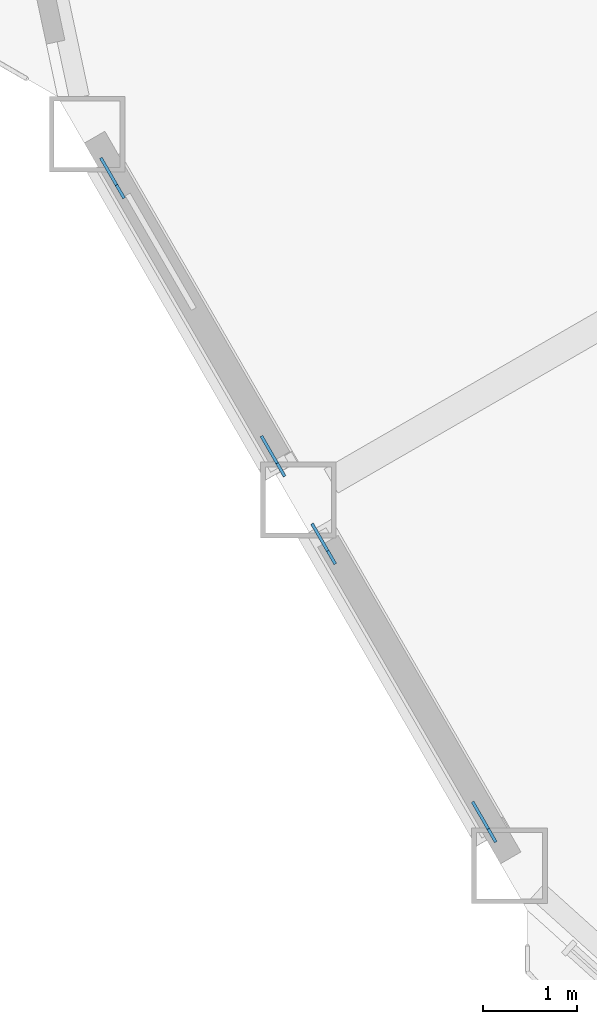
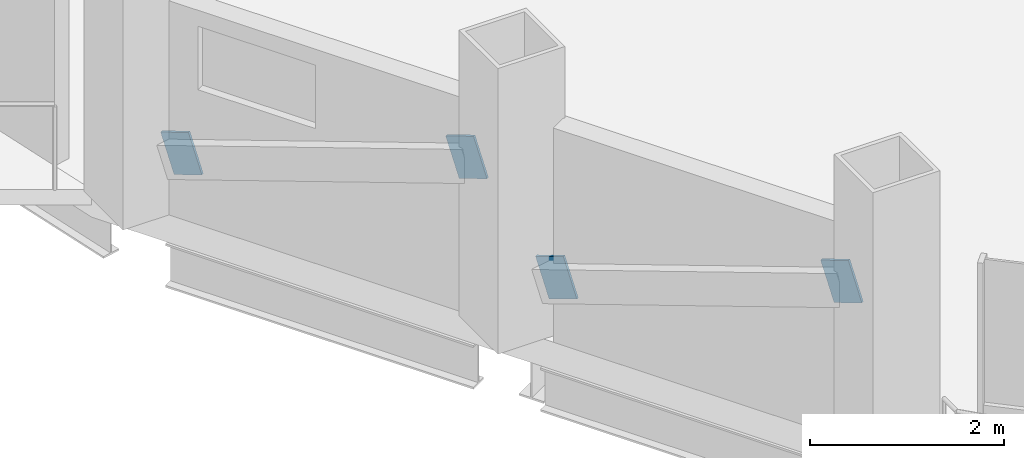
# One storey, part 16 of 23: 4 discrete accessories.
"""IFC4 building model written with IfcOpenShell, lengths in metres."""

from ifc_helpers import new_model, si_unit, direction, frame, origin, origin_2d, place, context, subcontext, project, spatial, rectangle, extrude, material, material_profile, profile_set, type_object, element, save


model = new_model("IFC4")

# Units and contexts
model_context = context("Model", 3, precision=1e-05, world=origin(), true_north=direction((0.0, 1.0)))
body_context = subcontext(model_context, "Body", "Model", "MODEL_VIEW")
ifc_project = project(units=[si_unit("LENGTHUNIT", "METRE"), si_unit("AREAUNIT", "SQUARE_METRE"), si_unit("VOLUMEUNIT", "CUBIC_METRE"), si_unit("PLANEANGLEUNIT", "RADIAN"), si_unit("MASSUNIT", "GRAM", prefix="KILO")], contexts=[model_context])

# Site, building, storey
site_placement = place(None, origin())
site = spatial("IfcSite", under=ifc_project, at=site_placement, CompositionType="ELEMENT")
building_placement = place(site_placement, origin())
building = spatial("IfcBuilding", under=site, at=building_placement, Name="Cormorant Prow Tower", CompositionType="ELEMENT")
storey_placement = place(building_placement, frame((0.0, 0.0, 180.0)))
storey = spatial("IfcBuildingStorey", under=building, at=storey_placement, Name="L38", CompositionType="ELEMENT", Elevation=180.0)

# Discrete accessories
ifc_material = material(Name="Structural steel ASTM A500 Gr C", Category="steel")
ifc_material_profile = material_profile(ifc_material, rectangle(XDim=0.031982421875, YDim=0.506103515625, at=origin_2d()), Name="Gusset plate 32x506")
ifc_profile_set = profile_set([ifc_material_profile], Name="Structural steel ASTM A500 Gr C")
discrete_accessory_type = type_object("IfcDiscreteAccessoryType", Name="Gusset plate 32x506", PredefinedType="BRACKET", material=ifc_profile_set)
discrete_accessory_1_placement = place(storey_placement, frame((-29.943359375, -12.935791015625, 0.83544921875), z_axis=(-0.47373689254, 0.821190460264, -0.318150254784), x_axis=(-0.866197837791, -0.499701216534, 0.0)))
element("IfcDiscreteAccessory", 1, at=discrete_accessory_1_placement, inside=storey, type_object=discrete_accessory_type, Name="Gusset plate GP2 L38.WSW00.g0", PredefinedType="BRACKET", context=body_context, shape_type="SweptSolid", body=[
    extrude(rectangle(XDim=0.031982421875, YDim=0.506103515625, at=origin_2d()), origin(), (0.0, 0.0, 1.0), 0.349853515625),
])
for number, where, z_axis, x_axis, name in (
    (2, (-28.40966796875, -15.59228515625, 1.865478515625), (0.4742777402, -0.820918970906, 0.31804507284), (0.86587923604, 0.500253084543, 0.0), "Gusset plate GP2 L38.WSW00.g1"),
    (3, (-27.7080078125, -16.807373046875, 0.83544921875), (-0.4742777402, 0.820918970906, -0.31804507284), (-0.86587923604, -0.500253084543, 0.0), "Gusset plate GP2 L38.WSW01.g0"),
):
    element("IfcDiscreteAccessory", number, at=place(storey_placement, frame(where, z_axis=z_axis, x_axis=x_axis)), inside=storey, type_object=discrete_accessory_type, Name=name, PredefinedType="BRACKET", context=body_context, shape_type="SweptSolid", body=[
        extrude(rectangle(XDim=0.031982421875, YDim=0.506103515625, at=origin_2d()), origin(), (0.0, 0.0, 1.0), 0.35009765625),
    ])
discrete_accessory_2_placement = place(storey_placement, frame((-26.17431640625, -19.463623046875, 1.865478515625), z_axis=(0.47373689254, -0.821190460264, 0.318150254784), x_axis=(0.866197837791, 0.499701216534, 0.0)))
element("IfcDiscreteAccessory", 4, at=discrete_accessory_2_placement, inside=storey, type_object=discrete_accessory_type, Name="Gusset plate GP2 L38.WSW01.g1", PredefinedType="BRACKET", context=body_context, shape_type="SweptSolid", body=[
    extrude(rectangle(XDim=0.031982421875, YDim=0.506103515625, at=origin_2d()), origin(), (0.0, 0.0, 1.0), 0.349853515625),
])

save(model, "model.ifc")
